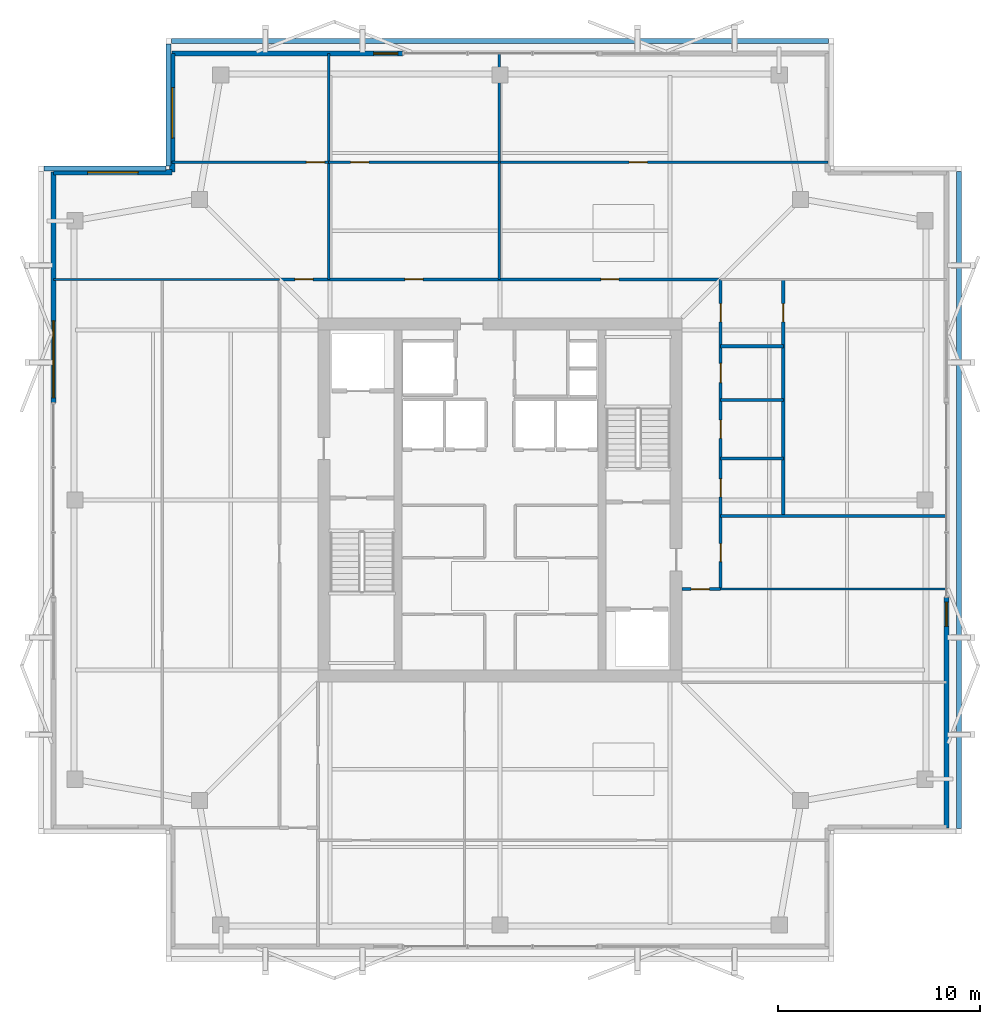
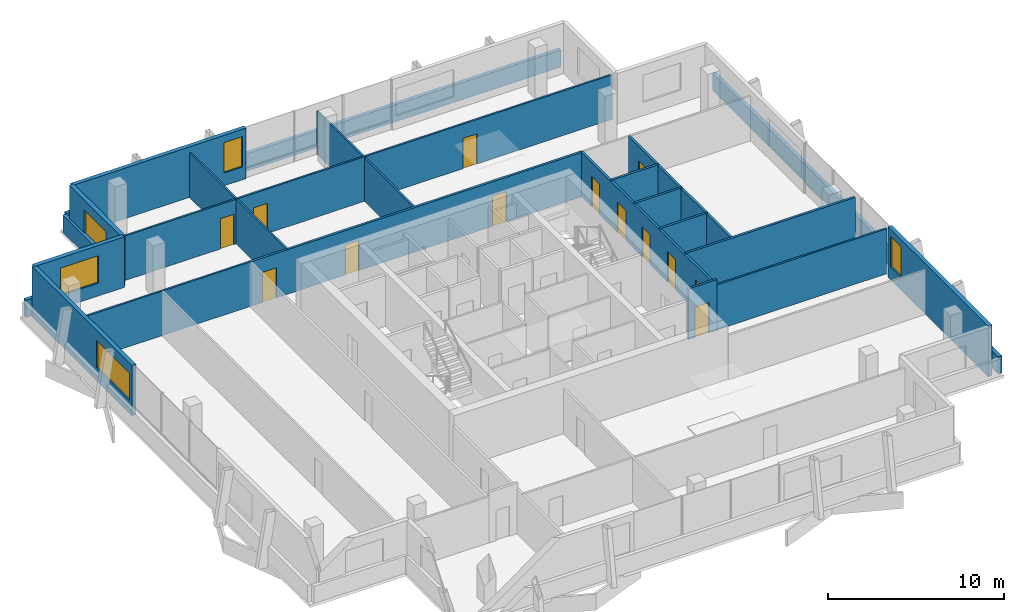
# One storey, part 15 of 17: 24 walls, 13 doors, 5 windows, 18 openings.
"""IFC4 building model written with IfcOpenShell, lengths in metres."""

from ifc_helpers import new_model, si_unit, direction, frame, frame_2d, origin, place, context, subcontext, project, spatial, rectangle, extrude, material, layer, layer_set, type_object, element, fill, save


model = new_model("IFC4")

# Units and contexts
model_context = context("Model", 3, precision=1e-05, world=origin(), true_north=direction((0.0, 1.0)))
body_context = subcontext(model_context, "Body", "Model", "MODEL_VIEW")
ifc_project = project(units=[si_unit("LENGTHUNIT", "METRE"), si_unit("AREAUNIT", "SQUARE_METRE"), si_unit("VOLUMEUNIT", "CUBIC_METRE"), si_unit("PLANEANGLEUNIT", "RADIAN"), si_unit("MASSUNIT", "GRAM", prefix="KILO")], contexts=[model_context])

# Site, building, storey
site_placement = place(None, origin())
site = spatial("IfcSite", under=ifc_project, at=site_placement, CompositionType="ELEMENT")
building_placement = place(site_placement, origin())
building = spatial("IfcBuilding", under=site, at=building_placement, Name="Belovzor Exchange Tower", CompositionType="ELEMENT")
storey_placement = place(building_placement, frame((0.0, 0.0, 333.0)))
storey = spatial("IfcBuildingStorey", under=building, at=storey_placement, Name="L83", CompositionType="ELEMENT", Elevation=333.0)

# Wall, opening, door
ifc_material_1 = material(Name="Acoustic Plasterboard on Galvanised Studs", Category="gypsum")
ifc_layer_1 = layer(ifc_material_1, 0.1201171875)
ifc_layer_set_1 = layer_set([ifc_layer_1], Name="Acoustic Plasterboard on Galvanised Studs")
wall_type_1 = type_object("IfcWallType", Name="Acoustic Double-Stud Partition Wall 120", PredefinedType="PARTITIONING", material=ifc_layer_set_1)
wall_1_placement = place(storey_placement, frame((12.60009765625, 45.48388671875, 0.0), z_axis=(0.0, 0.0, 1.0), x_axis=(1.0, 0.0, 0.0)))
wall_1 = element("IfcWall", 1, at=wall_1_placement, inside=storey, type_object=wall_type_1, Name="W-P120 Partition Wall W-L83-NHDIV-0", PredefinedType="PARTITIONING", context=body_context, shape_type="SweptSolid", body=[
    extrude(rectangle(XDim=7.72998046875, YDim=0.1201171875, at=frame_2d((3.864990234375, 0.0))), origin(), (0.0, 0.0, 1.0), 3.094970703125),
])
opening_1_placement = place(wall_1_placement, frame((6.6298828125, 0.0, 0.0)))
opening_1 = element("IfcOpeningElement", 2, at=opening_1_placement, cuts=wall_1, Name="Opening D-INT-090", PredefinedType="OPENING", context=body_context, shape_type="SweptSolid", body=[
    extrude(rectangle(XDim=0.89990234375, YDim=2.10009765625, at=frame_2d((0.449951171875, 1.050048828125))), frame((0.0, 0.070068359375, 0.0), z_axis=(0.0, -1.0, 0.0), x_axis=(1.0, 0.0, 0.0)), (0.0, 0.0, 1.0), 0.14013671875),
])
ifc_material_2 = material(Name="Veneered Hardwood Acoustic Leaf", Category="wood")
door_type_1 = type_object("IfcDoorType", Name="Trading Suite Acoustic Single Door 900x2100", OperationType="NOTDEFINED", PredefinedType="DOOR", material=ifc_material_2)
door_1_placement = place(opening_1_placement, origin())
door_1 = element("IfcDoor", 3, at=door_1_placement, inside=storey, type_object=door_type_1, Name="D-INT-090 Trading Suite Acoustic Single Door 900x2100", OperationType="SINGLE_SWING_RIGHT", OverallHeight=2.10009765625, OverallWidth=0.89990234375, PredefinedType="DOOR", context=body_context, shape_type="SweptSolid", body=[
    extrude(rectangle(XDim=0.89990234375, YDim=2.10009765625, at=frame_2d((0.449951171875, 1.050048828125))), frame((0.0, 0.02490234375, 0.0), z_axis=(0.0, -1.0, 0.0), x_axis=(1.0, 0.0, 0.0)), (0.0, 0.0, 1.0), 0.050048828125),
])
fill(opening_1, door_1)

# Wall
wall_2_placement = place(storey_placement, frame((20.330078125, 39.699951171875, 0.0), z_axis=(0.0, 0.0, 1.0), x_axis=(0.0, 1.0, 0.0)))
element("IfcWall", 4, at=wall_2_placement, inside=storey, type_object=wall_type_1, Name="W-P120 Partition Wall W-L83-NDIV-1", PredefinedType="PARTITIONING", context=body_context, shape_type="SweptSolid", body=[
    extrude(rectangle(XDim=11.170166015625, YDim=0.1201171875, at=frame_2d((5.5849609375, 0.0))), origin(), (0.0, 0.0, 1.0), 3.094970703125),
])

# Wall, opening, door
wall_3_placement = place(storey_placement, frame((20.330078125, 45.48388671875, 0.0), z_axis=(0.0, 0.0, 1.0), x_axis=(1.0, 0.0, 0.0)))
wall_3 = element("IfcWall", 5, at=wall_3_placement, inside=storey, type_object=wall_type_1, Name="W-P120 Partition Wall W-L83-NHDIV-1", PredefinedType="PARTITIONING", context=body_context, shape_type="SweptSolid", body=[
    extrude(rectangle(XDim=8.430908203125, YDim=0.1201171875, at=frame_2d((4.21533203125, 0.0))), origin(), (0.0, 0.0, 1.0), 3.094970703125),
])
opening_2_placement = place(wall_3_placement, frame((1.091064453125, 0.0, 0.0)))
opening_2 = element("IfcOpeningElement", 6, at=opening_2_placement, cuts=wall_3, Name="Opening D-INT-090", PredefinedType="OPENING", context=body_context, shape_type="SweptSolid", body=[
    extrude(rectangle(XDim=0.89990234375, YDim=2.10009765625, at=frame_2d((0.449951171875, 1.050048828125))), frame((0.0, 0.070068359375, 0.0), z_axis=(0.0, -1.0, 0.0), x_axis=(1.0, 0.0, 0.0)), (0.0, 0.0, 1.0), 0.14013671875),
])
door_2_placement = place(opening_2_placement, origin())
door_2 = element("IfcDoor", 7, at=door_2_placement, inside=storey, type_object=door_type_1, Name="D-INT-090 Trading Suite Acoustic Single Door 900x2100", OperationType="SINGLE_SWING_RIGHT", OverallHeight=2.10009765625, OverallWidth=0.89990234375, PredefinedType="DOOR", context=body_context, shape_type="SweptSolid", body=[
    extrude(rectangle(XDim=0.89990234375, YDim=2.10009765625, at=frame_2d((0.449951171875, 1.050048828125))), frame((0.0, 0.02490234375, 0.0), z_axis=(0.0, -1.0, 0.0), x_axis=(1.0, 0.0, 0.0)), (0.0, 0.0, 1.0), 0.050048828125),
])
fill(opening_2, door_2)

# Wall
wall_4_placement = place(storey_placement, frame((28.760986328125, 39.699951171875, 0.0), z_axis=(0.0, 0.0, 1.0), x_axis=(0.0, 1.0, 0.0)))
element("IfcWall", 8, at=wall_4_placement, inside=storey, type_object=wall_type_1, Name="W-P120 Partition Wall W-L83-NDIV-2", PredefinedType="PARTITIONING", context=body_context, shape_type="SweptSolid", body=[
    extrude(rectangle(XDim=11.170166015625, YDim=0.1201171875, at=frame_2d((5.5849609375, 0.0))), origin(), (0.0, 0.0, 1.0), 2.9951171875),
])

# Wall, opening, door
wall_5_placement = place(storey_placement, frame((28.760986328125, 45.48388671875, 0.0), z_axis=(0.0, 0.0, 1.0), x_axis=(1.0, 0.0, 0.0)))
wall_5 = element("IfcWall", 9, at=wall_5_placement, inside=storey, type_object=wall_type_1, Name="W-P120 Partition Wall W-L83-NHDIV-2", PredefinedType="PARTITIONING", context=body_context, shape_type="SweptSolid", body=[
    extrude(rectangle(XDim=16.239013671875, YDim=0.1201171875, at=frame_2d((8.11962890625, 0.0))), origin(), (0.0, 0.0, 1.0), 3.094970703125),
])
opening_3_placement = place(wall_5_placement, frame((6.425048828125, 0.0, 0.0)))
opening_3 = element("IfcOpeningElement", 10, at=opening_3_placement, cuts=wall_5, Name="Opening D-INT-090", PredefinedType="OPENING", context=body_context, shape_type="SweptSolid", body=[
    extrude(rectangle(XDim=0.89990234375, YDim=2.10009765625, at=frame_2d((0.449951171875, 1.050048828125))), frame((0.0, 0.070068359375, 0.0), z_axis=(0.0, -1.0, 0.0), x_axis=(1.0, 0.0, 0.0)), (0.0, 0.0, 1.0), 0.14013671875),
])
door_3_placement = place(opening_3_placement, origin())
door_3 = element("IfcDoor", 11, at=door_3_placement, inside=storey, type_object=door_type_1, Name="D-INT-090 Trading Suite Acoustic Single Door 900x2100", OperationType="SINGLE_SWING_RIGHT", OverallHeight=2.10009765625, OverallWidth=0.89990234375, PredefinedType="DOOR", context=body_context, shape_type="SweptSolid", body=[
    extrude(rectangle(XDim=0.89990234375, YDim=2.10009765625, at=frame_2d((0.449951171875, 1.050048828125))), frame((0.0, 0.02490234375, 0.0), z_axis=(0.0, -1.0, 0.0), x_axis=(1.0, 0.0, 0.0)), (0.0, 0.0, 1.0), 0.050048828125),
])
fill(opening_3, door_3)

# Walls
wall_6_placement = place(storey_placement, frame((39.699951171875, 24.39990234375, 0.0), z_axis=(0.0, 0.0, 1.0), x_axis=(1.0, 0.0, 0.0)))
element("IfcWall", 12, at=wall_6_placement, inside=storey, type_object=wall_type_1, Name="W-P120 Partition Wall W-L83-ESN", PredefinedType="PARTITIONING", context=body_context, shape_type="SweptSolid", body=[
    extrude(rectangle(XDim=11.170166015625, YDim=0.1201171875, at=frame_2d((5.5849609375, 0.0))), origin(), (0.0, 0.0, 1.0), 3.135009765625),
])
wall_7_placement = place(storey_placement, frame((6.72998046875, 39.699951171875, 0.0), z_axis=(0.0, 0.0, 1.0), x_axis=(1.0, 0.0, 0.0)))
element("IfcWall", 13, at=wall_7_placement, inside=storey, type_object=wall_type_1, Name="W-P120 Partition Wall W-L83-END-NW", PredefinedType="PARTITIONING", context=body_context, shape_type="SweptSolid", body=[
    extrude(rectangle(XDim=11.169921875, YDim=0.1201171875, at=frame_2d((5.5849609375, 0.0))), origin(), (0.0, 0.0, 1.0), 3.094970703125),
])

# Wall, opening, door
ifc_material_3 = material(Name="Fire-Rated Gypsum Block and Mineral Wool", Category="gypsum")
ifc_layer_2 = layer(ifc_material_3, 0.14990234375)
ifc_layer_set_2 = layer_set([ifc_layer_2], Name="Fire-Rated Gypsum Block and Mineral Wool")
wall_type_2 = type_object("IfcWallType", Name="Fire-Rated Gypsum Block Corridor Wall 150", PredefinedType="PARTITIONING", material=ifc_layer_set_2)
wall_8_placement = place(storey_placement, frame((37.800048828125, 24.39990234375, 0.0), z_axis=(0.0, 0.0, 1.0), x_axis=(1.0, 0.0, 0.0)))
wall_8 = element("IfcWall", 14, at=wall_8_placement, inside=storey, type_object=wall_type_2, Name="W-P150 Partition Wall W-L83-CE-END", PredefinedType="PARTITIONING", context=body_context, shape_type="SweptSolid", body=[
    extrude(rectangle(XDim=1.89990234375, YDim=0.14990234375, at=frame_2d((0.949951171875, 0.0))), origin(), (0.0, 0.0, 1.0), 3.510009765625),
])
opening_4_placement = place(wall_8_placement, frame((0.449951171875, 0.0, 0.0)))
opening_4 = element("IfcOpeningElement", 15, at=opening_4_placement, cuts=wall_8, Name="Opening D-FD60-090", PredefinedType="OPENING", context=body_context, shape_type="SweptSolid", body=[
    extrude(rectangle(XDim=0.89990234375, YDim=2.10009765625, at=frame_2d((0.449951171875, 1.050048828125))), frame((0.0, 0.0849609375, 0.0), z_axis=(0.0, -1.0, 0.0), x_axis=(1.0, 0.0, 0.0)), (0.0, 0.0, 1.0), 0.169921875),
])
ifc_material_4 = material(Name="Acoustic Timber Fire Leaf", Category="wood")
door_type_2 = type_object("IfcDoorType", Name="Core Service & Restroom Fire Door 900x2100", OperationType="NOTDEFINED", PredefinedType="DOOR", material=ifc_material_4)
door_4_placement = place(opening_4_placement, origin())
door_4 = element("IfcDoor", 16, at=door_4_placement, inside=storey, type_object=door_type_2, Name="D-FD60-090 Core Service & Restroom Fire Door 900x2100", OperationType="SINGLE_SWING_LEFT", OverallHeight=2.10009765625, OverallWidth=0.89990234375, PredefinedType="DOOR", context=body_context, shape_type="SweptSolid", body=[
    extrude(rectangle(XDim=0.89990234375, YDim=2.10009765625, at=frame_2d((0.449951171875, 1.050048828125))), frame((0.0, 0.02490234375, 0.0), z_axis=(0.0, -1.0, 0.0), x_axis=(1.0, 0.0, 0.0)), (0.0, 0.0, 1.0), 0.050048828125),
])
fill(opening_4, door_4)

wall_9_placement = place(storey_placement, frame((42.800048828125, 28.0, 0.0), z_axis=(0.0, 0.0, 1.0), x_axis=(0.0, 1.0, 0.0)))
wall_9 = element("IfcWall", 17, at=wall_9_placement, inside=storey, type_object=wall_type_2, Name="W-P150 Partition Wall W-L83-EWC-E", PredefinedType="PARTITIONING", context=body_context, shape_type="SweptSolid", body=[
    extrude(rectangle(XDim=11.699951171875, YDim=0.14990234375, at=frame_2d((5.85009765625, 0.0))), origin(), (0.0, 0.0, 1.0), 3.094970703125),
])
opening_5_placement = place(wall_9_placement, frame((9.60009765625, 0.0, 0.0)))
opening_5 = element("IfcOpeningElement", 18, at=opening_5_placement, cuts=wall_9, Name="Opening D-INT-090", PredefinedType="OPENING", context=body_context, shape_type="SweptSolid", body=[
    extrude(rectangle(XDim=0.89990234375, YDim=2.10009765625, at=frame_2d((0.449951171875, 1.050048828125))), frame((0.0, 0.0849609375, 0.0), z_axis=(0.0, -1.0, 0.0), x_axis=(1.0, 0.0, 0.0)), (0.0, 0.0, 1.0), 0.169921875),
])
door_5_placement = place(opening_5_placement, origin())
door_5 = element("IfcDoor", 19, at=door_5_placement, inside=storey, type_object=door_type_1, Name="D-INT-090 Trading Suite Acoustic Single Door 900x2100", OperationType="SINGLE_SWING_RIGHT", OverallHeight=2.10009765625, OverallWidth=0.89990234375, PredefinedType="DOOR", context=body_context, shape_type="SweptSolid", body=[
    extrude(rectangle(XDim=0.89990234375, YDim=2.10009765625, at=frame_2d((0.449951171875, 1.050048828125))), frame((0.0, 0.02490234375, 0.0), z_axis=(0.0, -1.0, 0.0), x_axis=(1.0, 0.0, 0.0)), (0.0, 0.0, 1.0), 0.050048828125),
])
fill(opening_5, door_5)

# Walls
wall_10_placement = place(storey_placement, frame((39.699951171875, 28.0, 0.0), z_axis=(0.0, 0.0, 1.0), x_axis=(1.0, 0.0, 0.0)))
element("IfcWall", 20, at=wall_10_placement, inside=storey, type_object=wall_type_2, Name="W-P150 Partition Wall W-L83-EWC-S", PredefinedType="PARTITIONING", context=body_context, shape_type="SweptSolid", body=[
    extrude(rectangle(XDim=11.170166015625, YDim=0.14990234375, at=frame_2d((5.5849609375, 0.0))), origin(), (0.0, 0.0, 1.0), 3.135009765625),
])
for number, where, z_axis, x_axis, name in (
    (21, (39.699951171875, 36.39990234375, 0.0), (0.0, 0.0, 1.0), (1.0, 0.0, 0.0), "W-P150 Partition Wall W-L83-EWC-N"),
    (22, (39.699951171875, 30.85009765625, 0.0), (0.0, 0.0, 1.0), (1.0, 0.0, 0.0), "W-P150 Partition Wall W-L83-EWC-D1"),
    (23, (39.699951171875, 33.75, 0.0), (0.0, 0.0, 1.0), (1.0, 0.0, 0.0), "W-P150 Partition Wall W-L83-EWC-D2"),
):
    element("IfcWall", number, at=place(storey_placement, frame(where, z_axis=z_axis, x_axis=x_axis)), inside=storey, type_object=wall_type_2, Name=name, PredefinedType="PARTITIONING", context=body_context, shape_type="SweptSolid", body=[
        extrude(rectangle(XDim=3.10009765625, YDim=0.14990234375, at=frame_2d((1.550048828125, 0.0))), origin(), (0.0, 0.0, 1.0), 3.135009765625),
    ])

# Wall, openings, doors
wall_11_placement = place(storey_placement, frame((17.89990234375, 39.699951171875, 0.0), z_axis=(0.0, 0.0, 1.0), x_axis=(1.0, 0.0, 0.0)))
wall_11 = element("IfcWall", 24, at=wall_11_placement, inside=storey, type_object=wall_type_2, Name="W-P150 Partition Wall W-L83-CN", PredefinedType="PARTITIONING", context=body_context, shape_type="SweptSolid", body=[
    extrude(rectangle(XDim=21.800048828125, YDim=0.14990234375, at=frame_2d((10.89990234375, 0.0))), origin(), (0.0, 0.0, 1.0), 3.094970703125),
])
opening_6_placement = place(wall_11_placement, frame((0.764892578125, 0.0, 0.0)))
opening_6 = element("IfcOpeningElement", 25, at=opening_6_placement, cuts=wall_11, Name="Opening D-INT-090", PredefinedType="OPENING", context=body_context, shape_type="SweptSolid", body=[
    extrude(rectangle(XDim=0.89990234375, YDim=2.10009765625, at=frame_2d((0.449951171875, 1.050048828125))), frame((0.0, 0.0849609375, 0.0), z_axis=(0.0, -1.0, 0.0), x_axis=(1.0, 0.0, 0.0)), (0.0, 0.0, 1.0), 0.169921875),
])
opening_7_placement = place(wall_11_placement, frame((6.195068359375, 0.0, 0.0)))
opening_7 = element("IfcOpeningElement", 26, at=opening_7_placement, cuts=wall_11, Name="Opening D-INT-090", PredefinedType="OPENING", context=body_context, shape_type="SweptSolid", body=[
    extrude(rectangle(XDim=0.89990234375, YDim=2.10009765625, at=frame_2d((0.449951171875, 1.050048828125))), frame((0.0, 0.0849609375, 0.0), z_axis=(0.0, -1.0, 0.0), x_axis=(1.0, 0.0, 0.0)), (0.0, 0.0, 1.0), 0.169921875),
])
opening_8_placement = place(wall_11_placement, frame((15.8798828125, 0.0, 0.0)))
opening_8 = element("IfcOpeningElement", 27, at=opening_8_placement, cuts=wall_11, Name="Opening D-INT-090", PredefinedType="OPENING", context=body_context, shape_type="SweptSolid", body=[
    extrude(rectangle(XDim=0.89990234375, YDim=2.10009765625, at=frame_2d((0.449951171875, 1.050048828125))), frame((0.0, 0.0849609375, 0.0), z_axis=(0.0, -1.0, 0.0), x_axis=(1.0, 0.0, 0.0)), (0.0, 0.0, 1.0), 0.169921875),
])
door_6_placement = place(opening_6_placement, origin())
door_6 = element("IfcDoor", 28, at=door_6_placement, inside=storey, type_object=door_type_1, Name="D-INT-090 Trading Suite Acoustic Single Door 900x2100", OperationType="SINGLE_SWING_LEFT", OverallHeight=2.10009765625, OverallWidth=0.89990234375, PredefinedType="DOOR", context=body_context, shape_type="SweptSolid", body=[
    extrude(rectangle(XDim=0.89990234375, YDim=2.10009765625, at=frame_2d((0.449951171875, 1.050048828125))), frame((0.0, 0.02490234375, 0.0), z_axis=(0.0, -1.0, 0.0), x_axis=(1.0, 0.0, 0.0)), (0.0, 0.0, 1.0), 0.050048828125),
])
fill(opening_6, door_6)
door_7_placement = place(opening_7_placement, origin())
door_7 = element("IfcDoor", 29, at=door_7_placement, inside=storey, type_object=door_type_1, Name="D-INT-090 Trading Suite Acoustic Single Door 900x2100", OperationType="SINGLE_SWING_RIGHT", OverallHeight=2.10009765625, OverallWidth=0.89990234375, PredefinedType="DOOR", context=body_context, shape_type="SweptSolid", body=[
    extrude(rectangle(XDim=0.89990234375, YDim=2.10009765625, at=frame_2d((0.449951171875, 1.050048828125))), frame((0.0, 0.02490234375, 0.0), z_axis=(0.0, -1.0, 0.0), x_axis=(1.0, 0.0, 0.0)), (0.0, 0.0, 1.0), 0.050048828125),
])
fill(opening_7, door_7)
door_8_placement = place(opening_8_placement, origin())
door_8 = element("IfcDoor", 30, at=door_8_placement, inside=storey, type_object=door_type_1, Name="D-INT-090 Trading Suite Acoustic Single Door 900x2100", OperationType="SINGLE_SWING_LEFT", OverallHeight=2.10009765625, OverallWidth=0.89990234375, PredefinedType="DOOR", context=body_context, shape_type="SweptSolid", body=[
    extrude(rectangle(XDim=0.89990234375, YDim=2.10009765625, at=frame_2d((0.449951171875, 1.050048828125))), frame((0.0, 0.02490234375, 0.0), z_axis=(0.0, -1.0, 0.0), x_axis=(1.0, 0.0, 0.0)), (0.0, 0.0, 1.0), 0.050048828125),
])
fill(opening_8, door_8)

wall_12_placement = place(storey_placement, frame((39.699951171875, 24.39990234375, 0.0), z_axis=(0.0, 0.0, 1.0), x_axis=(0.0, 1.0, 0.0)))
wall_12 = element("IfcWall", 31, at=wall_12_placement, inside=storey, type_object=wall_type_2, Name="W-P150 Partition Wall W-L83-CE", PredefinedType="PARTITIONING", context=body_context, shape_type="SweptSolid", body=[
    extrude(rectangle(XDim=15.300048828125, YDim=0.14990234375, at=frame_2d((7.64990234375, 0.0))), origin(), (0.0, 0.0, 1.0), 3.094970703125),
])
opening_9_placement = place(wall_12_placement, frame((1.35009765625, 0.0, 0.0)))
opening_9 = element("IfcOpeningElement", 32, at=opening_9_placement, cuts=wall_12, Name="Opening D-INT-090", PredefinedType="OPENING", context=body_context, shape_type="SweptSolid", body=[
    extrude(rectangle(XDim=0.89990234375, YDim=2.10009765625, at=frame_2d((0.449951171875, 1.050048828125))), frame((0.0, 0.0849609375, 0.0), z_axis=(0.0, -1.0, 0.0), x_axis=(1.0, 0.0, 0.0)), (0.0, 0.0, 1.0), 0.169921875),
])
opening_10_placement = place(wall_12_placement, frame((4.550048828125, 0.0, 0.0)))
opening_10 = element("IfcOpeningElement", 33, at=opening_10_placement, cuts=wall_12, Name="Opening D-FD60-090", PredefinedType="OPENING", context=body_context, shape_type="SweptSolid", body=[
    extrude(rectangle(XDim=0.89990234375, YDim=2.10009765625, at=frame_2d((0.449951171875, 1.050048828125))), frame((0.0, 0.0849609375, 0.0), z_axis=(0.0, -1.0, 0.0), x_axis=(1.0, 0.0, 0.0)), (0.0, 0.0, 1.0), 0.169921875),
])
opening_11_placement = place(wall_12_placement, frame((7.449951171875, 0.0, 0.0)))
opening_11 = element("IfcOpeningElement", 34, at=opening_11_placement, cuts=wall_12, Name="Opening D-FD60-090", PredefinedType="OPENING", context=body_context, shape_type="SweptSolid", body=[
    extrude(rectangle(XDim=0.89990234375, YDim=2.10009765625, at=frame_2d((0.449951171875, 1.050048828125))), frame((0.0, 0.0849609375, 0.0), z_axis=(0.0, -1.0, 0.0), x_axis=(1.0, 0.0, 0.0)), (0.0, 0.0, 1.0), 0.169921875),
])
opening_12_placement = place(wall_12_placement, frame((10.199951171875, 0.0, 0.0)))
opening_12 = element("IfcOpeningElement", 35, at=opening_12_placement, cuts=wall_12, Name="Opening D-FD60-095", PredefinedType="OPENING", context=body_context, shape_type="SweptSolid", body=[
    extrude(rectangle(XDim=0.949951171875, YDim=2.10009765625, at=frame_2d((0.47509765625, 1.050048828125))), frame((0.0, 0.0849609375, 0.0), z_axis=(0.0, -1.0, 0.0), x_axis=(1.0, 0.0, 0.0)), (0.0, 0.0, 1.0), 0.169921875),
])
opening_13_placement = place(wall_12_placement, frame((13.199951171875, 0.0, 0.0)))
opening_13 = element("IfcOpeningElement", 36, at=opening_13_placement, cuts=wall_12, Name="Opening D-FD60-090", PredefinedType="OPENING", context=body_context, shape_type="SweptSolid", body=[
    extrude(rectangle(XDim=0.89990234375, YDim=2.10009765625, at=frame_2d((0.449951171875, 1.050048828125))), frame((0.0, 0.0849609375, 0.0), z_axis=(0.0, -1.0, 0.0), x_axis=(1.0, 0.0, 0.0)), (0.0, 0.0, 1.0), 0.169921875),
])
ifc_material_5 = material(Name="Moisture-Resistant Timber Fire Leaf", Category="wood")
door_type_3 = type_object("IfcDoorType", Name="Accessible Restroom Wide Fire Door 950x2100", OperationType="NOTDEFINED", PredefinedType="DOOR", material=ifc_material_5)
door_9_placement = place(opening_12_placement, origin())
door_9 = element("IfcDoor", 37, at=door_9_placement, inside=storey, type_object=door_type_3, Name="D-FD60-095 Accessible Restroom Wide Fire Door 950x2100", OperationType="SINGLE_SWING_LEFT", OverallHeight=2.10009765625, OverallWidth=0.949951171875, PredefinedType="DOOR", context=body_context, shape_type="SweptSolid", body=[
    extrude(rectangle(XDim=0.949951171875, YDim=2.10009765625, at=frame_2d((0.47509765625, 1.050048828125))), frame((0.0, 0.02490234375, 0.0), z_axis=(0.0, -1.0, 0.0), x_axis=(1.0, 0.0, 0.0)), (0.0, 0.0, 1.0), 0.050048828125),
])
fill(opening_12, door_9)
door_10_placement = place(opening_10_placement, origin())
door_10 = element("IfcDoor", 38, at=door_10_placement, inside=storey, type_object=door_type_2, Name="D-FD60-090 Core Service & Restroom Fire Door 900x2100", OperationType="SINGLE_SWING_LEFT", OverallHeight=2.10009765625, OverallWidth=0.89990234375, PredefinedType="DOOR", context=body_context, shape_type="SweptSolid", body=[
    extrude(rectangle(XDim=0.89990234375, YDim=2.10009765625, at=frame_2d((0.449951171875, 1.050048828125))), frame((0.0, 0.02490234375, 0.0), z_axis=(0.0, -1.0, 0.0), x_axis=(1.0, 0.0, 0.0)), (0.0, 0.0, 1.0), 0.050048828125),
])
fill(opening_10, door_10)
door_11_placement = place(opening_11_placement, origin())
door_11 = element("IfcDoor", 39, at=door_11_placement, inside=storey, type_object=door_type_2, Name="D-FD60-090 Core Service & Restroom Fire Door 900x2100", OperationType="SINGLE_SWING_RIGHT", OverallHeight=2.10009765625, OverallWidth=0.89990234375, PredefinedType="DOOR", context=body_context, shape_type="SweptSolid", body=[
    extrude(rectangle(XDim=0.89990234375, YDim=2.10009765625, at=frame_2d((0.449951171875, 1.050048828125))), frame((0.0, 0.02490234375, 0.0), z_axis=(0.0, -1.0, 0.0), x_axis=(1.0, 0.0, 0.0)), (0.0, 0.0, 1.0), 0.050048828125),
])
fill(opening_11, door_11)
door_12_placement = place(opening_13_placement, origin())
door_12 = element("IfcDoor", 40, at=door_12_placement, inside=storey, type_object=door_type_2, Name="D-FD60-090 Core Service & Restroom Fire Door 900x2100", OperationType="SINGLE_SWING_RIGHT", OverallHeight=2.10009765625, OverallWidth=0.89990234375, PredefinedType="DOOR", context=body_context, shape_type="SweptSolid", body=[
    extrude(rectangle(XDim=0.89990234375, YDim=2.10009765625, at=frame_2d((0.449951171875, 1.050048828125))), frame((0.0, 0.02490234375, 0.0), z_axis=(0.0, -1.0, 0.0), x_axis=(1.0, 0.0, 0.0)), (0.0, 0.0, 1.0), 0.050048828125),
])
fill(opening_13, door_12)
door_13_placement = place(opening_9_placement, origin())
door_13 = element("IfcDoor", 41, at=door_13_placement, inside=storey, type_object=door_type_1, Name="D-INT-090 Trading Suite Acoustic Single Door 900x2100", OperationType="SINGLE_SWING_RIGHT", OverallHeight=2.10009765625, OverallWidth=0.89990234375, PredefinedType="DOOR", context=body_context, shape_type="SweptSolid", body=[
    extrude(rectangle(XDim=0.89990234375, YDim=2.10009765625, at=frame_2d((0.449951171875, 1.050048828125))), frame((0.0, 0.02490234375, 0.0), z_axis=(0.0, -1.0, 0.0), x_axis=(1.0, 0.0, 0.0)), (0.0, 0.0, 1.0), 0.050048828125),
])
fill(opening_9, door_13)

# Wall, opening, window
ifc_material_6 = material(Name="Precast concrete C40/50", Category="concrete")
ifc_layer_3 = layer(ifc_material_6, 0.280029296875)
ifc_layer_set_3 = layer_set([ifc_layer_3], Name="Precast concrete C40/50")
wall_type_3 = type_object("IfcWallType", Name="Precast Concrete Notched Corner Frame Wall 280", PredefinedType="SOLIDWALL", material=ifc_layer_set_3)
wall_13_placement = place(storey_placement, frame((6.72998046875, 45.0, 0.0), z_axis=(0.0, 0.0, 1.0), x_axis=(1.0, 0.0, 0.0)))
wall_13 = element("IfcWall", 42, at=wall_13_placement, inside=storey, type_object=wall_type_3, Name="W-CRN280 Precast Concrete Notched Corner Frame Wall 280 L83", PredefinedType="SOLIDWALL", context=body_context, shape_type="SweptSolid", body=[
    extrude(rectangle(XDim=5.8701171875, YDim=0.280029296875, at=frame_2d((2.93505859375, 0.0))), origin(), (0.0, 0.0, 1.0), 3.510009765625),
])
opening_14_placement = place(wall_13_placement, frame((1.68505859375, 0.0, 0.89990234375)))
opening_14 = element("IfcOpeningElement", 43, at=opening_14_placement, cuts=wall_13, Name="Opening WN-CRN250", PredefinedType="OPENING", context=body_context, shape_type="SweptSolid", body=[
    extrude(rectangle(XDim=2.5, YDim=1.89990234375, at=frame_2d((1.25, 0.949951171875))), frame((0.0, 0.14990234375, 0.0), z_axis=(0.0, -1.0, 0.0), x_axis=(1.0, 0.0, 0.0)), (0.0, 0.0, 1.0), 0.300048828125),
])
ifc_material_7 = material(Name="Thermally Broken Aluminium and Triple Glazing", Category="aluminium")
window_type_1 = type_object("IfcWindowType", Name="Streamline Moderne Corner Wrap Ribbon Window 2500x1900", PartitioningType="SINGLE_PANEL", PredefinedType="WINDOW", material=ifc_material_7)
window_1_placement = place(opening_14_placement, origin())
window_1 = element("IfcWindow", 44, at=window_1_placement, inside=storey, type_object=window_type_1, Name="WN-CRN250 Streamline Moderne Corner Wrap Ribbon Window 2500x1900", OverallHeight=1.89990234375, OverallWidth=2.5, PartitioningType="SINGLE_PANEL", PredefinedType="WINDOW", context=body_context, shape_type="SweptSolid", body=[
    extrude(rectangle(XDim=2.5, YDim=1.89990234375, at=frame_2d((1.25, 0.949951171875))), frame((0.0, 0.030029296875, 0.0), z_axis=(0.0, -1.0, 0.0), x_axis=(1.0, 0.0, 0.0)), (0.0, 0.0, 1.0), 0.06005859375),
])
fill(opening_14, window_1)

wall_14_placement = place(storey_placement, frame((12.60009765625, 45.0, 0.0), z_axis=(0.0, 0.0, 1.0), x_axis=(0.0, 1.0, 0.0)))
wall_14 = element("IfcWall", 45, at=wall_14_placement, inside=storey, type_object=wall_type_3, Name="W-CRN280 Precast Concrete Notched Corner Frame Wall 280 L83", PredefinedType="SOLIDWALL", context=body_context, shape_type="SweptSolid", body=[
    extrude(rectangle(XDim=5.8701171875, YDim=0.280029296875, at=frame_2d((2.93505859375, 0.0))), origin(), (0.0, 0.0, 1.0), 3.510009765625),
])
opening_15_placement = place(wall_14_placement, frame((1.68505859375, 0.0, 0.89990234375)))
opening_15 = element("IfcOpeningElement", 46, at=opening_15_placement, cuts=wall_14, Name="Opening WN-CRN250", PredefinedType="OPENING", context=body_context, shape_type="SweptSolid", body=[
    extrude(rectangle(XDim=2.5, YDim=1.89990234375, at=frame_2d((1.25, 0.949951171875))), frame((0.0, 0.14990234375, 0.0), z_axis=(0.0, -1.0, 0.0), x_axis=(1.0, 0.0, 0.0)), (0.0, 0.0, 1.0), 0.300048828125),
])
window_2_placement = place(opening_15_placement, origin())
window_2 = element("IfcWindow", 47, at=window_2_placement, inside=storey, type_object=window_type_1, Name="WN-CRN250 Streamline Moderne Corner Wrap Ribbon Window 2500x1900", OverallHeight=1.89990234375, OverallWidth=2.5, PartitioningType="SINGLE_PANEL", PredefinedType="WINDOW", context=body_context, shape_type="SweptSolid", body=[
    extrude(rectangle(XDim=2.5, YDim=1.89990234375, at=frame_2d((1.25, 0.949951171875))), frame((0.0, 0.030029296875, 0.0), z_axis=(0.0, -1.0, 0.0), x_axis=(1.0, 0.0, 0.0)), (0.0, 0.0, 1.0), 0.06005859375),
])
fill(opening_15, window_2)

ifc_material_8 = material(Name="Precast concrete C40/50", Category="concrete")
ifc_layer_4 = layer(ifc_material_8, 0.260009765625)
ifc_layer_set_4 = layer_set([ifc_layer_4], Name="Precast concrete C40/50")
wall_type_4 = type_object("IfcWallType", Name="Precast Concrete Perimeter Loggia Frame Wall 260", PredefinedType="SOLIDWALL", material=ifc_layer_set_4)
wall_15_placement = place(storey_placement, frame((12.60009765625, 50.8701171875, 0.0), z_axis=(0.0, 0.0, 1.0), x_axis=(1.0, 0.0, 0.0)))
wall_15 = element("IfcWall", 48, at=wall_15_placement, inside=storey, type_object=wall_type_4, Name="W-EXT260 Precast Concrete Perimeter Loggia Frame Wall 260 L83", PredefinedType="SOLIDWALL", context=body_context, shape_type="SweptSolid", body=[
    extrude(rectangle(XDim=11.39990234375, YDim=0.260009765625, at=frame_2d((5.699951171875, 0.0))), origin(), (0.0, 0.0, 1.0), 3.510009765625),
])
opening_16_placement = place(wall_15_placement, frame((9.949951171875, 0.0, 0.89990234375)))
opening_16 = element("IfcOpeningElement", 49, at=opening_16_placement, cuts=wall_15, Name="Opening WN-CRN120", PredefinedType="OPENING", context=body_context, shape_type="SweptSolid", body=[
    extrude(rectangle(XDim=1.199951171875, YDim=2.10009765625, at=frame_2d((0.60009765625, 1.050048828125))), frame((0.0, 0.139892578125, 0.0), z_axis=(0.0, -1.0, 0.0), x_axis=(1.0, 0.0, 0.0)), (0.0, 0.0, 1.0), 0.280029296875),
])
ifc_material_9 = material(Name="Thermally Broken Aluminium and Triple Glazing", Category="aluminium")
window_type_2 = type_object("IfcWindowType", Name="Streamline Notched Corner Window 1200x2100", PartitioningType="SINGLE_PANEL", PredefinedType="WINDOW", material=ifc_material_9)
window_3_placement = place(opening_16_placement, origin())
window_3 = element("IfcWindow", 50, at=window_3_placement, inside=storey, type_object=window_type_2, Name="WN-CRN120 Streamline Notched Corner Window 1200x2100", OverallHeight=2.10009765625, OverallWidth=1.199951171875, PartitioningType="SINGLE_PANEL", PredefinedType="WINDOW", context=body_context, shape_type="SweptSolid", body=[
    extrude(rectangle(XDim=1.199951171875, YDim=2.10009765625, at=frame_2d((0.60009765625, 1.050048828125))), frame((0.0, 0.030029296875, 0.0), z_axis=(0.0, -1.0, 0.0), x_axis=(1.0, 0.0, 0.0)), (0.0, 0.0, 1.0), 0.06005859375),
])
fill(opening_16, window_3)

wall_16_placement = place(storey_placement, frame((6.72998046875, 33.60009765625, 0.0), z_axis=(0.0, 0.0, 1.0), x_axis=(0.0, 1.0, 0.0)))
wall_16 = element("IfcWall", 51, at=wall_16_placement, inside=storey, type_object=wall_type_4, Name="W-EXT260 Precast Concrete Perimeter Loggia Frame Wall 260 L83", PredefinedType="SOLIDWALL", context=body_context, shape_type="SweptSolid", body=[
    extrude(rectangle(XDim=11.39990234375, YDim=0.260009765625, at=frame_2d((5.699951171875, 0.0))), origin(), (0.0, 0.0, 1.0), 3.510009765625),
])
opening_17_placement = place(wall_16_placement, frame((0.25, 0.0, 0.89990234375)))
opening_17 = element("IfcOpeningElement", 52, at=opening_17_placement, cuts=wall_16, Name="Opening WN-RIB380", PredefinedType="OPENING", context=body_context, shape_type="SweptSolid", body=[
    extrude(rectangle(XDim=3.800048828125, YDim=1.89990234375, at=frame_2d((1.89990234375, 0.949951171875))), frame((0.0, 0.139892578125, 0.0), z_axis=(0.0, -1.0, 0.0), x_axis=(1.0, 0.0, 0.0)), (0.0, 0.0, 1.0), 0.280029296875),
])
ifc_material_10 = material(Name="Thermally Broken Aluminium and Triple Glazing", Category="aluminium")
window_type_3 = type_object("IfcWindowType", Name="Streamline Moderne Horizontal Ribbon Window 3800x1900", PartitioningType="SINGLE_PANEL", PredefinedType="WINDOW", material=ifc_material_10)
window_4_placement = place(opening_17_placement, origin())
window_4 = element("IfcWindow", 53, at=window_4_placement, inside=storey, type_object=window_type_3, Name="WN-RIB380 Streamline Moderne Horizontal Ribbon Window 3800x1900", OverallHeight=1.89990234375, OverallWidth=3.800048828125, PartitioningType="SINGLE_PANEL", PredefinedType="WINDOW", context=body_context, shape_type="SweptSolid", body=[
    extrude(rectangle(XDim=3.800048828125, YDim=1.89990234375, at=frame_2d((1.89990234375, 0.949951171875))), frame((0.0, 0.030029296875, 0.0), z_axis=(0.0, -1.0, 0.0), x_axis=(1.0, 0.0, 0.0)), (0.0, 0.0, 1.0), 0.06005859375),
])
fill(opening_17, window_4)

wall_17_placement = place(storey_placement, frame((50.8701171875, 24.0, 0.0), z_axis=(0.0, 0.0, 1.0), x_axis=(0.0, -1.0, 0.0)))
wall_17 = element("IfcWall", 54, at=wall_17_placement, inside=storey, type_object=wall_type_4, Name="W-EXT260 Precast Concrete Perimeter Loggia Frame Wall 260 L83", PredefinedType="SOLIDWALL", context=body_context, shape_type="SweptSolid", body=[
    extrude(rectangle(XDim=11.39990234375, YDim=0.260009765625, at=frame_2d((5.699951171875, 0.0))), origin(), (0.0, 0.0, 1.0), 3.510009765625),
])
opening_18_placement = place(wall_17_placement, frame((0.25, 0.0, 0.89990234375)))
opening_18 = element("IfcOpeningElement", 55, at=opening_18_placement, cuts=wall_17, Name="Opening WN-CRN120", PredefinedType="OPENING", context=body_context, shape_type="SweptSolid", body=[
    extrude(rectangle(XDim=1.199951171875, YDim=2.10009765625, at=frame_2d((0.60009765625, 1.050048828125))), frame((0.0, 0.139892578125, 0.0), z_axis=(0.0, -1.0, 0.0), x_axis=(1.0, 0.0, 0.0)), (0.0, 0.0, 1.0), 0.280029296875),
])
window_5_placement = place(opening_18_placement, origin())
window_5 = element("IfcWindow", 56, at=window_5_placement, inside=storey, type_object=window_type_2, Name="WN-CRN120 Streamline Notched Corner Window 1200x2100", OverallHeight=2.10009765625, OverallWidth=1.199951171875, PartitioningType="SINGLE_PANEL", PredefinedType="WINDOW", context=body_context, shape_type="SweptSolid", body=[
    extrude(rectangle(XDim=1.199951171875, YDim=2.10009765625, at=frame_2d((0.60009765625, 1.050048828125))), frame((0.0, 0.030029296875, 0.0), z_axis=(0.0, -1.0, 0.0), x_axis=(1.0, 0.0, 0.0)), (0.0, 0.0, 1.0), 0.06005859375),
])
fill(opening_18, window_5)

# Walls
ifc_material_11 = material(Name="Precast concrete C40/50", Category="concrete")
ifc_layer_5 = layer(ifc_material_11, 0.239990234375)
ifc_layer_set_5 = layer_set([ifc_layer_5], Name="Precast concrete C40/50")
wall_type_5 = type_object("IfcWallType", Name="Precast Stone Setback Roof Parapet Wall 240", PredefinedType="PARAPET", material=ifc_layer_set_5)
for number, where, z_axis, x_axis, name in (
    (57, (51.47998046875, 12.554931640625, 0.0), (0.0, 0.0, 1.0), (0.0, 1.0, 0.0), "W-PAR240 Precast Stone Setback Roof Parapet Wall 240 L83"),
    (58, (45.044921875, 51.47998046875, 0.0), (0.0, 0.0, 1.0), (-1.0, 0.0, 0.0), "W-PAR240 Precast Stone Setback Roof Parapet Wall 240 L83"),
):
    element("IfcWall", number, at=place(storey_placement, frame(where, z_axis=z_axis, x_axis=x_axis)), inside=storey, type_object=wall_type_5, Name=name, PredefinedType="PARAPET", context=body_context, shape_type="SweptSolid", body=[
        extrude(rectangle(XDim=32.489990234375, YDim=0.239990234375, at=frame_2d((16.2451171875, 0.0))), origin(), (0.0, 0.0, 1.0), 1.199951171875),
    ])
for number, where, z_axis, x_axis, name in (
    (59, (12.419921875, 51.344970703125, 0.0), (0.0, 0.0, 1.0), (0.0, -1.0, 0.0), "W-PAR240 Precast Stone Setback Roof Parapet Wall 240 L83"),
    (60, (12.284912109375, 45.179931640625, 0.0), (0.0, 0.0, 1.0), (-1.0, 0.0, 0.0), "W-PAR240 Precast Stone Setback Roof Parapet Wall 240 L83"),
):
    element("IfcWall", number, at=place(storey_placement, frame(where, z_axis=z_axis, x_axis=x_axis)), inside=storey, type_object=wall_type_5, Name=name, PredefinedType="PARAPET", context=body_context, shape_type="SweptSolid", body=[
        extrude(rectangle(XDim=6.030029296875, YDim=0.239990234375, at=frame_2d((3.01513671875, 0.0))), origin(), (0.0, 0.0, 1.0), 1.199951171875),
    ])

save(model, "model.ifc")
